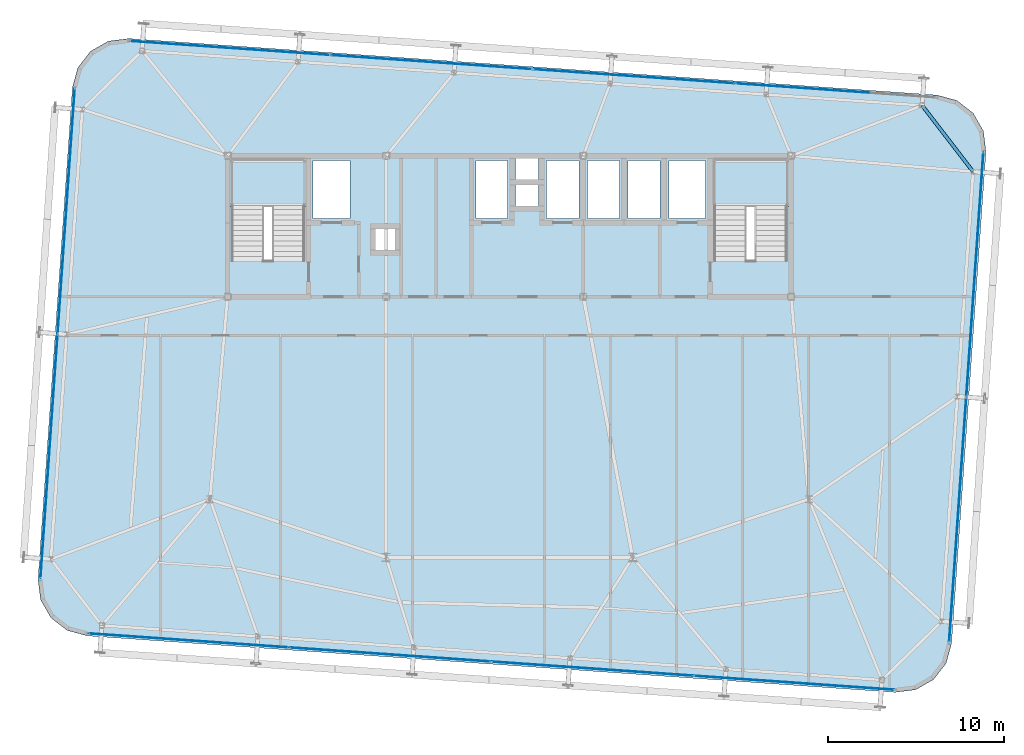
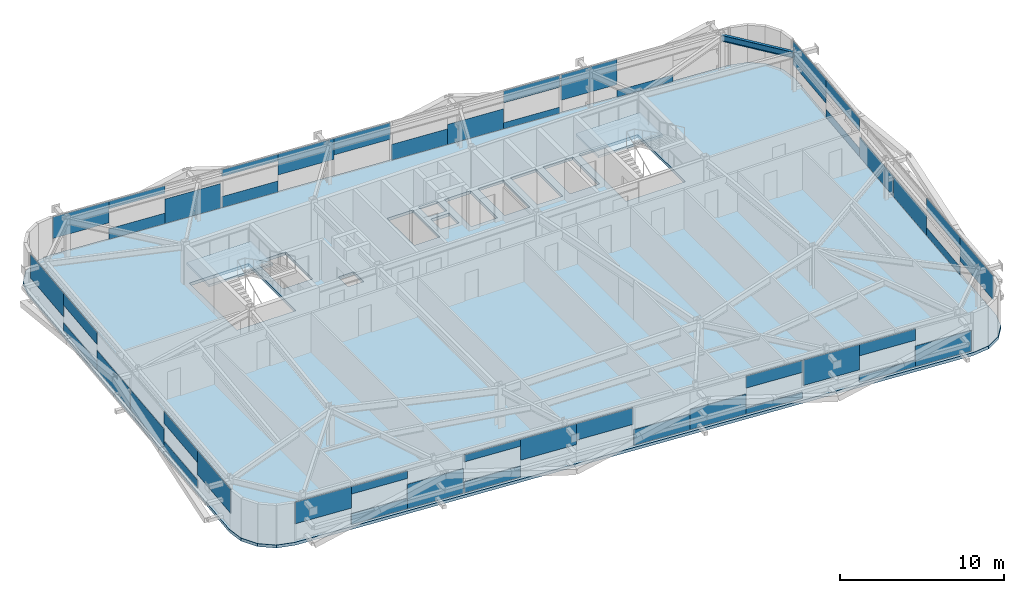
# One storey, part 25 of 39: 46 plates, 3 slabs, 1 beam, 6 elements without a shape of their own.
"""IFC4 building model written with IfcOpenShell, lengths in metres."""

from ifc_helpers import new_model, si_unit, direction, frame, origin, origin_2d, place, context, subcontext, project, spatial, polyline, rectangle, i_section, outline, extrude, source, transform, mapped, material, layer, layer_set, material_profile, profile_set, type_object, element, aggregate, save


model = new_model("IFC4")

# Units and contexts
model_context = context("Model", 3, precision=1e-05, world=origin(), true_north=direction((0.0, 1.0)))
body_context = subcontext(model_context, "Body", "Model", "MODEL_VIEW")
ifc_project = project(units=[si_unit("LENGTHUNIT", "METRE"), si_unit("AREAUNIT", "SQUARE_METRE"), si_unit("VOLUMEUNIT", "CUBIC_METRE"), si_unit("PLANEANGLEUNIT", "RADIAN"), si_unit("MASSUNIT", "GRAM", prefix="KILO")], contexts=[model_context])

# Site, building, storey
site_placement = place(None, origin())
site = spatial("IfcSite", under=ifc_project, at=site_placement, CompositionType="ELEMENT")
building_placement = place(site_placement, origin())
building = spatial("IfcBuilding", under=site, at=building_placement, Name="Taldren Reach Tower", CompositionType="ELEMENT")
storey_placement = place(building_placement, frame((0.0, 0.0, 133.0)))
storey = spatial("IfcBuildingStorey", under=building, at=storey_placement, Name="L40", CompositionType="ELEMENT", Elevation=133.0)

# Beam
ifc_material_1 = material(Name="Steel Gr 350 (350PLUS)", Category="steel")
ifc_material_profile = material_profile(ifc_material_1, i_section(OverallWidth=0.18994140625, OverallDepth=0.4541015625, WebThickness=0.008544921875, FlangeThickness=0.0126953125, at=origin_2d()), Name="460UB67.1")
ifc_profile_set = profile_set([ifc_material_profile], Name="Steel Gr 350 (350PLUS)")
beam_type = type_object("IfcBeamType", Name="SP-UB460B", PredefinedType="SPANDREL", material=ifc_profile_set)
shared_shape_1 = source(origin(), body_context, "Body", "SweptSolid", [
    extrude(i_section(OverallWidth=0.18994140625, OverallDepth=0.4541015625, WebThickness=0.008544921875, FlangeThickness=0.0126953125, at=origin_2d()), origin(), (0.0, 0.0, 1.0), 4.745849609375),
])
beam_placement = place(storey_placement, frame((61.3310546875, 31.1005859375, 2.702880859375), z_axis=(-0.609904656723, 0.792474800677, 0.0), x_axis=(-0.792474800677, -0.609904656723, 0.0)))
element("IfcBeam", 1, at=beam_placement, inside=storey, type_object=beam_type, Name="Perimeter spandrel B3 E3-N6 L40", PredefinedType="SPANDREL", context=body_context, shape_type="MappedRepresentation", body=[
    mapped(shared_shape_1, transform((0.0, 0.0, 0.0), scale=1.0)),
])

# Slab
ifc_material_2 = material(Name="Concrete N40 (40 MPa)", Category="concrete")
ifc_layer_1 = layer(ifc_material_2, 0.219970703125)
ifc_layer_set_1 = layer_set([ifc_layer_1], Name="Concrete N40 (40 MPa)")
slab_type_1 = type_object("IfcSlabType", Name="SL-FLR-220", PredefinedType="FLOOR", material=ifc_layer_set_1)
slab_1_placement = place(storey_placement, frame((0.0, 0.0, -0.219970703125)))
element("IfcSlab", 2, at=slab_1_placement, inside=storey, type_object=slab_type_1, Name="Suspended floor slab L40", PredefinedType="FLOOR", context=body_context, shape_type="SweptSolid", body=[
    extrude(outline(polyline([(56.908203125, 1.537109375), (58.0693359375, 1.684814453125), (59.08544921875, 2.265625), (59.80224609375, 3.191162109375), (60.110107421875, 4.320556640625), (62.063232421875, 32.252197265625), (61.91552734375, 33.413330078125), (61.334716796875, 34.4296875), (60.4091796875, 35.146240234375), (59.27978515625, 35.4541015625), (13.391845703125, 38.6630859375), (12.230712890625, 38.515380859375), (11.21435546875, 37.934326171875), (10.497802734375, 37.0087890625), (10.18994140625, 35.879638671875), (8.23681640625, 7.94775390625), (8.384521484375, 6.78662109375), (8.96533203125, 5.770263671875), (9.890869140625, 5.0537109375), (11.020263671875, 4.745849609375), (56.908203125, 1.537109375)]), holes=[polyline([(19.219970703125, 26.050048828125), (23.3798828125, 26.050048828125), (23.3798828125, 31.820068359375), (19.219970703125, 31.820068359375), (19.219970703125, 26.050048828125)]), polyline([(46.6201171875, 26.050048828125), (50.780029296875, 26.050048828125), (50.780029296875, 31.820068359375), (46.6201171875, 31.820068359375), (46.6201171875, 26.050048828125)]), polyline([(23.85009765625, 28.449951171875), (25.949951171875, 28.449951171875), (25.949951171875, 31.75), (23.85009765625, 31.75), (23.85009765625, 28.449951171875)]), polyline([(44.050048828125, 28.449951171875), (46.14990234375, 28.449951171875), (46.14990234375, 31.75), (44.050048828125, 31.75), (44.050048828125, 28.449951171875)]), polyline([(33.10009765625, 28.449951171875), (34.89990234375, 28.449951171875), (34.89990234375, 31.75), (33.10009765625, 31.75), (33.10009765625, 28.449951171875)]), polyline([(37.10009765625, 28.449951171875), (38.949951171875, 28.449951171875), (38.949951171875, 31.75), (37.10009765625, 31.75), (37.10009765625, 28.449951171875)]), polyline([(39.449951171875, 28.449951171875), (41.25, 28.449951171875), (41.25, 31.75), (39.449951171875, 31.75), (39.449951171875, 28.449951171875)]), polyline([(41.75, 28.449951171875), (43.550048828125, 28.449951171875), (43.550048828125, 31.75), (41.75, 31.75), (41.75, 28.449951171875)]), polyline([(35.35009765625, 30.64990234375), (36.64990234375, 30.64990234375), (36.64990234375, 31.85009765625), (35.35009765625, 31.85009765625), (35.35009765625, 30.64990234375)]), polyline([(35.35009765625, 29.14990234375), (36.64990234375, 29.14990234375), (36.64990234375, 30.35009765625), (35.35009765625, 30.35009765625), (35.35009765625, 29.14990234375)]), polyline([(27.39990234375, 26.64990234375), (28.5, 26.64990234375), (28.5, 27.85009765625), (27.39990234375, 27.85009765625), (27.39990234375, 26.64990234375)])]), origin(), (0.0, 0.0, 1.0), 0.219970703125),
])

# Stair, slab
ifc_material_3 = material(Name="Concrete S50 (50 MPa)", Category="concrete")
stair_type = type_object("IfcStairType", Name="ST-HT-315", PredefinedType="HALF_TURN_STAIR", material=ifc_material_3)
stair_1_placement = place(storey_placement, origin())
stair_1 = element("IfcStair", 3, at=stair_1_placement, inside=storey, type_object=stair_type, Name="Fire-isolated exit stair ST1 L40", PredefinedType="HALF_TURN_STAIR")
ifc_layer_2 = layer(ifc_material_3, 0.179931640625)
ifc_layer_set_2 = layer_set([ifc_layer_2], Name="Concrete S50 (50 MPa)")
slab_type_2 = type_object("IfcSlabType", Name="SL-LAND-180", PredefinedType="LANDING", material=ifc_layer_set_2)
slab_2_placement = place(storey_placement, frame((0.0, 0.0, 1.39501953125)))
slab_2 = element("IfcSlab", 4, at=slab_2_placement, type_object=slab_type_2, Name="ST1 landing 1", PredefinedType="LANDING", context=body_context, shape_type="SweptSolid", body=[
    extrude(outline(polyline([(19.0400390625, 29.135009765625), (23.56005859375, 29.135009765625), (23.56005859375, 31.8701171875), (19.0400390625, 31.8701171875), (19.0400390625, 29.135009765625)])), origin(), (0.0, 0.0, 1.0), 0.179931640625),
])
aggregate(stair_1, [slab_2])

stair_2_placement = place(storey_placement, origin())
stair_2 = element("IfcStair", 5, at=stair_2_placement, inside=storey, type_object=stair_type, Name="Fire-isolated exit stair ST2 L40", PredefinedType="HALF_TURN_STAIR")
slab_3_placement = place(storey_placement, frame((0.0, 0.0, 1.39501953125)))
slab_3 = element("IfcSlab", 6, at=slab_3_placement, type_object=slab_type_2, Name="ST2 landing 1", PredefinedType="LANDING", context=body_context, shape_type="SweptSolid", body=[
    extrude(outline(polyline([(46.43994140625, 29.135009765625), (50.9599609375, 29.135009765625), (50.9599609375, 31.8701171875), (46.43994140625, 31.8701171875), (46.43994140625, 29.135009765625)])), origin(), (0.0, 0.0, 1.0), 0.179931640625),
])
aggregate(stair_2, [slab_3])

# Curtain wall, plate
ifc_material_4 = material(Name="Aluminium and Low-E Glass Unitised System", Category="aluminium")
ifc_layer_3 = layer(ifc_material_4, 0.159912109375)
ifc_layer_set_3 = layer_set([ifc_layer_3], Name="Aluminium and Low-E Glass Unitised System")
curtain_wall_type = type_object("IfcCurtainWallType", Name="CW-SYS-4", PredefinedType="NOTDEFINED", material=ifc_layer_set_3)
curtain_wall_1_placement = place(storey_placement, origin())
curtain_wall_1 = element("IfcCurtainWall", 7, at=curtain_wall_1_placement, inside=storey, type_object=curtain_wall_type, Name="Unitised curtain wall CW-L40-S", PredefinedType="NOTDEFINED")
ifc_material_5 = material(Name="Solar-Control Double Glazed IGU", Category="glass")
ifc_layer_4 = layer(ifc_material_5, 0.031982421875)
ifc_layer_set_4 = layer_set([ifc_layer_4], Name="Solar-Control Double Glazed IGU")
plate_type = type_object("IfcPlateType", Name="CW-PNL-IGU32", PredefinedType="CURTAIN_PANEL", material=ifc_layer_set_4)
shared_shape_2 = source(origin(), body_context, "Body", "SweptSolid", [
    extrude(rectangle(XDim=3.79833984375, YDim=0.031982421875, at=origin_2d()), origin(), (0.0, 0.0, 1.0), 1.597900390625),
])
plate_1_placement = place(storey_placement, frame((12.994384765625, 4.748046875, 1.27734375), z_axis=(0.0, 0.0, 1.0), x_axis=(0.99756404731, -0.06975651593, 0.0)))
plate_1 = element("IfcPlate", 8, at=plate_1_placement, type_object=plate_type, Name="CW-4 panel 1.1 part 1", PredefinedType="CURTAIN_PANEL", context=body_context, shape_type="MappedRepresentation", body=[
    mapped(shared_shape_2, transform((0.0, 0.0, 0.0), scale=1.0)),
])

curtain_wall_2_placement = place(storey_placement, origin())
curtain_wall_2 = element("IfcCurtainWall", 9, at=curtain_wall_2_placement, inside=storey, type_object=curtain_wall_type, Name="Unitised curtain wall CW-L40-N", PredefinedType="NOTDEFINED")
plate_2_placement = place(storey_placement, frame((15.346435546875, 38.385986328125, 1.27734375), z_axis=(0.0, 0.0, 1.0), x_axis=(-0.99756404731, 0.06975651593, 0.0)))
plate_2 = element("IfcPlate", 10, at=plate_2_placement, type_object=plate_type, Name="CW-4 panel 4.1 part 4", PredefinedType="CURTAIN_PANEL", context=body_context, shape_type="MappedRepresentation", body=[
    mapped(shared_shape_2, transform((0.0, 0.0, 0.0), scale=1.0)),
])

# Plate
shared_shape_3 = source(origin(), body_context, "Body", "SweptSolid", [
    extrude(rectangle(XDim=3.79833984375, YDim=0.031982421875, at=origin_2d()), origin(), (0.0, 0.0, 1.0), 0.787109375),
])
plate_3_placement = place(storey_placement, frame((16.783447265625, 4.483154296875, 0.054931640625), z_axis=(0.0, 0.0, 1.0), x_axis=(0.99756404731, -0.06975651593, 0.0)))
plate_3 = element("IfcPlate", 11, at=plate_3_placement, type_object=plate_type, Name="CW-4 panel 1.1 part 2", PredefinedType="CURTAIN_PANEL", context=body_context, shape_type="MappedRepresentation", body=[
    mapped(shared_shape_3, transform((0.0, 0.0, 0.0), scale=1.0)),
])

plate_4_placement = place(storey_placement, frame((19.135498046875, 38.12109375, 0.054931640625), z_axis=(0.0, 0.0, 1.0), x_axis=(-0.99756404731, 0.06975651593, 0.0)))
plate_4 = element("IfcPlate", 12, at=plate_4_placement, type_object=plate_type, Name="CW-4 panel 4.1 part 2", PredefinedType="CURTAIN_PANEL", context=body_context, shape_type="MappedRepresentation", body=[
    mapped(shared_shape_3, transform((0.0, 0.0, 0.0), scale=1.0)),
])

shared_shape_4 = source(origin(), body_context, "Body", "SweptSolid", [
    extrude(rectangle(XDim=3.79833984375, YDim=0.031982421875, at=origin_2d()), origin(), (0.0, 0.0, 1.0), 0.558349609375),
])
plate_5_placement = place(storey_placement, frame((16.783447265625, 4.483154296875, 2.31640625), z_axis=(0.0, 0.0, 1.0), x_axis=(0.99756404731, -0.06975651593, 0.0)))
plate_5 = element("IfcPlate", 13, at=plate_5_placement, type_object=plate_type, Name="CW-4 panel 1.1 part 3", PredefinedType="CURTAIN_PANEL", context=body_context, shape_type="MappedRepresentation", body=[
    mapped(shared_shape_4, transform((0.0, 0.0, 0.0), scale=1.0)),
])

plate_6_placement = place(storey_placement, frame((19.135498046875, 38.12109375, 2.31640625), z_axis=(0.0, 0.0, 1.0), x_axis=(-0.99756404731, 0.06975651593, 0.0)))
plate_6 = element("IfcPlate", 14, at=plate_6_placement, type_object=plate_type, Name="CW-4 panel 4.1 part 3", PredefinedType="CURTAIN_PANEL", context=body_context, shape_type="MappedRepresentation", body=[
    mapped(shared_shape_4, transform((0.0, 0.0, 0.0), scale=1.0)),
])

shared_shape_5 = source(origin(), body_context, "Body", "SweptSolid", [
    extrude(rectangle(XDim=3.79833984375, YDim=0.031982421875, at=origin_2d()), origin(), (0.0, 0.0, 1.0), 1.826416015625),
])
plate_7_placement = place(storey_placement, frame((20.572509765625, 4.21826171875, 0.05517578125), z_axis=(0.0, 0.0, 1.0), x_axis=(0.99756404731, -0.06975651593, 0.0)))
plate_7 = element("IfcPlate", 15, at=plate_7_placement, type_object=plate_type, Name="CW-4 panel 1.1 part 4", PredefinedType="CURTAIN_PANEL", context=body_context, shape_type="MappedRepresentation", body=[
    mapped(shared_shape_5, transform((0.0, 0.0, 0.0), scale=1.0)),
])

plate_8_placement = place(storey_placement, frame((22.924560546875, 37.85595703125, 0.05517578125), z_axis=(0.0, 0.0, 1.0), x_axis=(-0.99756404731, 0.06975651593, 0.0)))
plate_8 = element("IfcPlate", 16, at=plate_8_placement, type_object=plate_type, Name="CW-4 panel 4.1 part 1", PredefinedType="CURTAIN_PANEL", context=body_context, shape_type="MappedRepresentation", body=[
    mapped(shared_shape_5, transform((0.0, 0.0, 0.0), scale=1.0)),
])

shared_shape_6 = source(origin(), body_context, "Body", "SweptSolid", [
    extrude(rectangle(XDim=3.81005859375, YDim=0.031982421875, at=origin_2d()), origin(), (0.0, 0.0, 1.0), 0.8271484375),
])
plate_9_placement = place(storey_placement, frame((24.437255859375, 3.947998046875, 0.054931640625), z_axis=(0.0, 0.0, 1.0), x_axis=(0.99756404731, -0.06975651593, 0.0)))
plate_9 = element("IfcPlate", 17, at=plate_9_placement, type_object=plate_type, Name="CW-4 panel 2.1 part 1", PredefinedType="CURTAIN_PANEL", context=body_context, shape_type="MappedRepresentation", body=[
    mapped(shared_shape_6, transform((0.0, 0.0, 0.0), scale=1.0)),
])

plate_10_placement = place(storey_placement, frame((26.789306640625, 37.585693359375, 0.054931640625), z_axis=(0.0, 0.0, 1.0), x_axis=(-0.99756404731, 0.06975651593, 0.0)))
plate_10 = element("IfcPlate", 18, at=plate_10_placement, type_object=plate_type, Name="CW-4 panel 3.1 part 3", PredefinedType="CURTAIN_PANEL", context=body_context, shape_type="MappedRepresentation", body=[
    mapped(shared_shape_6, transform((0.0, 0.0, 0.0), scale=1.0)),
])

shared_shape_7 = source(origin(), body_context, "Body", "SweptSolid", [
    extrude(rectangle(XDim=3.81005859375, YDim=0.031982421875, at=origin_2d()), origin(), (0.0, 0.0, 1.0), 0.51513671875),
])
plate_11_placement = place(storey_placement, frame((24.437255859375, 3.947998046875, 2.35986328125), z_axis=(0.0, 0.0, 1.0), x_axis=(0.99756404731, -0.06975651593, 0.0)))
plate_11 = element("IfcPlate", 19, at=plate_11_placement, type_object=plate_type, Name="CW-4 panel 2.1 part 2", PredefinedType="CURTAIN_PANEL", context=body_context, shape_type="MappedRepresentation", body=[
    mapped(shared_shape_7, transform((0.0, 0.0, 0.0), scale=1.0)),
])

plate_12_placement = place(storey_placement, frame((26.789306640625, 37.585693359375, 2.35986328125), z_axis=(0.0, 0.0, 1.0), x_axis=(-0.99756404731, 0.06975651593, 0.0)))
plate_12 = element("IfcPlate", 20, at=plate_12_placement, type_object=plate_type, Name="CW-4 panel 3.1 part 4", PredefinedType="CURTAIN_PANEL", context=body_context, shape_type="MappedRepresentation", body=[
    mapped(shared_shape_7, transform((0.0, 0.0, 0.0), scale=1.0)),
])

shared_shape_8 = source(origin(), body_context, "Body", "SweptSolid", [
    extrude(rectangle(XDim=3.81005859375, YDim=0.031982421875, at=origin_2d()), origin(), (0.0, 0.0, 1.0), 1.5576171875),
])
plate_13_placement = place(storey_placement, frame((28.23779296875, 3.68212890625, 1.3173828125), z_axis=(0.0, 0.0, 1.0), x_axis=(0.99756404731, -0.06975651593, 0.0)))
plate_13 = element("IfcPlate", 21, at=plate_13_placement, type_object=plate_type, Name="CW-4 panel 2.1 part 3", PredefinedType="CURTAIN_PANEL", context=body_context, shape_type="MappedRepresentation", body=[
    mapped(shared_shape_8, transform((0.0, 0.0, 0.0), scale=1.0)),
])

plate_14_placement = place(storey_placement, frame((30.590087890625, 37.320068359375, 1.3173828125), z_axis=(0.0, 0.0, 1.0), x_axis=(-0.99756404731, 0.06975651593, 0.0)))
plate_14 = element("IfcPlate", 22, at=plate_14_placement, type_object=plate_type, Name="CW-4 panel 3.1 part 2", PredefinedType="CURTAIN_PANEL", context=body_context, shape_type="MappedRepresentation", body=[
    mapped(shared_shape_8, transform((0.0, 0.0, 0.0), scale=1.0)),
])

shared_shape_9 = source(origin(), body_context, "Body", "SweptSolid", [
    extrude(rectangle(XDim=3.81005859375, YDim=0.031982421875, at=origin_2d()), origin(), (0.0, 0.0, 1.0), 1.23193359375),
])
plate_15_placement = place(storey_placement, frame((32.03857421875, 3.41650390625, 1.64306640625), z_axis=(0.0, 0.0, 1.0), x_axis=(0.99756404731, -0.06975651593, 0.0)))
plate_15 = element("IfcPlate", 23, at=plate_15_placement, type_object=plate_type, Name="CW-4 panel 2.1 part 4", PredefinedType="CURTAIN_PANEL", context=body_context, shape_type="MappedRepresentation", body=[
    mapped(shared_shape_9, transform((0.0, 0.0, 0.0), scale=1.0)),
])

plate_16_placement = place(storey_placement, frame((34.390869140625, 37.05419921875, 1.64306640625), z_axis=(0.0, 0.0, 1.0), x_axis=(-0.99756404731, 0.06975651593, 0.0)))
plate_16 = element("IfcPlate", 24, at=plate_16_placement, type_object=plate_type, Name="CW-4 panel 3.1 part 1", PredefinedType="CURTAIN_PANEL", context=body_context, shape_type="MappedRepresentation", body=[
    mapped(shared_shape_9, transform((0.0, 0.0, 0.0), scale=1.0)),
])

shared_shape_10 = source(origin(), body_context, "Body", "SweptSolid", [
    extrude(rectangle(XDim=3.81005859375, YDim=0.031982421875, at=origin_2d()), origin(), (0.0, 0.0, 1.0), 1.172119140625),
])
plate_17_placement = place(storey_placement, frame((35.9091796875, 3.145751953125, 0.05517578125), z_axis=(0.0, 0.0, 1.0), x_axis=(0.99756404731, -0.06975651593, 0.0)))
plate_17 = element("IfcPlate", 25, at=plate_17_placement, type_object=plate_type, Name="CW-4 panel 3.1 part 1", PredefinedType="CURTAIN_PANEL", context=body_context, shape_type="MappedRepresentation", body=[
    mapped(shared_shape_10, transform((0.0, 0.0, 0.0), scale=1.0)),
])

plate_18_placement = place(storey_placement, frame((38.261474609375, 36.78369140625, 0.05517578125), z_axis=(0.0, 0.0, 1.0), x_axis=(-0.99756404731, 0.06975651593, 0.0)))
plate_18 = element("IfcPlate", 26, at=plate_18_placement, type_object=plate_type, Name="CW-4 panel 2.1 part 4", PredefinedType="CURTAIN_PANEL", context=body_context, shape_type="MappedRepresentation", body=[
    mapped(shared_shape_10, transform((0.0, 0.0, 0.0), scale=1.0)),
])

shared_shape_11 = source(origin(), body_context, "Body", "SweptSolid", [
    extrude(rectangle(XDim=3.81005859375, YDim=0.031982421875, at=origin_2d()), origin(), (0.0, 0.0, 1.0), 1.497802734375),
])
plate_19_placement = place(storey_placement, frame((39.7099609375, 2.8798828125, 0.05517578125), z_axis=(0.0, 0.0, 1.0), x_axis=(0.99756404731, -0.06975651593, 0.0)))
plate_19 = element("IfcPlate", 27, at=plate_19_placement, type_object=plate_type, Name="CW-4 panel 3.1 part 2", PredefinedType="CURTAIN_PANEL", context=body_context, shape_type="MappedRepresentation", body=[
    mapped(shared_shape_11, transform((0.0, 0.0, 0.0), scale=1.0)),
])

plate_20_placement = place(storey_placement, frame((42.06201171875, 36.517822265625, 0.05517578125), z_axis=(0.0, 0.0, 1.0), x_axis=(-0.99756404731, 0.06975651593, 0.0)))
plate_20 = element("IfcPlate", 28, at=plate_20_placement, type_object=plate_type, Name="CW-4 panel 2.1 part 3", PredefinedType="CURTAIN_PANEL", context=body_context, shape_type="MappedRepresentation", body=[
    mapped(shared_shape_11, transform((0.0, 0.0, 0.0), scale=1.0)),
])

shared_shape_12 = source(origin(), body_context, "Body", "SweptSolid", [
    extrude(rectangle(XDim=3.81005859375, YDim=0.031982421875, at=origin_2d()), origin(), (0.0, 0.0, 1.0), 0.455078125),
])
plate_21_placement = place(storey_placement, frame((43.510498046875, 2.6142578125, 0.054931640625), z_axis=(0.0, 0.0, 1.0), x_axis=(0.99756404731, -0.06975651593, 0.0)))
plate_21 = element("IfcPlate", 29, at=plate_21_placement, type_object=plate_type, Name="CW-4 panel 3.1 part 3", PredefinedType="CURTAIN_PANEL", context=body_context, shape_type="MappedRepresentation", body=[
    mapped(shared_shape_12, transform((0.0, 0.0, 0.0), scale=1.0)),
])

plate_22_placement = place(storey_placement, frame((45.86279296875, 36.251953125, 0.054931640625), z_axis=(0.0, 0.0, 1.0), x_axis=(-0.99756404731, 0.06975651593, 0.0)))
plate_22 = element("IfcPlate", 30, at=plate_22_placement, type_object=plate_type, Name="CW-4 panel 2.1 part 1", PredefinedType="CURTAIN_PANEL", context=body_context, shape_type="MappedRepresentation", body=[
    mapped(shared_shape_12, transform((0.0, 0.0, 0.0), scale=1.0)),
])

shared_shape_13 = source(origin(), body_context, "Body", "SweptSolid", [
    extrude(rectangle(XDim=3.81005859375, YDim=0.031982421875, at=origin_2d()), origin(), (0.0, 0.0, 1.0), 0.88720703125),
])
plate_23_placement = place(storey_placement, frame((43.510498046875, 2.6142578125, 1.98779296875), z_axis=(0.0, 0.0, 1.0), x_axis=(0.99756404731, -0.06975651593, 0.0)))
plate_23 = element("IfcPlate", 31, at=plate_23_placement, type_object=plate_type, Name="CW-4 panel 3.1 part 4", PredefinedType="CURTAIN_PANEL", context=body_context, shape_type="MappedRepresentation", body=[
    mapped(shared_shape_13, transform((0.0, 0.0, 0.0), scale=1.0)),
])

plate_24_placement = place(storey_placement, frame((45.86279296875, 36.251953125, 1.98779296875), z_axis=(0.0, 0.0, 1.0), x_axis=(-0.99756404731, 0.06975651593, 0.0)))
plate_24 = element("IfcPlate", 32, at=plate_24_placement, type_object=plate_type, Name="CW-4 panel 2.1 part 2", PredefinedType="CURTAIN_PANEL", context=body_context, shape_type="MappedRepresentation", body=[
    mapped(shared_shape_13, transform((0.0, 0.0, 0.0), scale=1.0)),
])

shared_shape_14 = source(origin(), body_context, "Body", "SweptSolid", [
    extrude(rectangle(XDim=3.79833984375, YDim=0.031982421875, at=origin_2d()), origin(), (0.0, 0.0, 1.0), 1.886474609375),
])
plate_25_placement = place(storey_placement, frame((47.375244140625, 2.343994140625, 0.98828125), z_axis=(0.0, 0.0, 1.0), x_axis=(0.99756404731, -0.06975651593, 0.0)))
plate_25 = element("IfcPlate", 33, at=plate_25_placement, type_object=plate_type, Name="CW-4 panel 4.1 part 1", PredefinedType="CURTAIN_PANEL", context=body_context, shape_type="MappedRepresentation", body=[
    mapped(shared_shape_14, transform((0.0, 0.0, 0.0), scale=1.0)),
])

plate_26_placement = place(storey_placement, frame((49.7275390625, 35.981689453125, 0.98828125), z_axis=(0.0, 0.0, 1.0), x_axis=(-0.99756404731, 0.06975651593, 0.0)))
plate_26 = element("IfcPlate", 34, at=plate_26_placement, type_object=plate_type, Name="CW-4 panel 1.1 part 4", PredefinedType="CURTAIN_PANEL", context=body_context, shape_type="MappedRepresentation", body=[
    mapped(shared_shape_14, transform((0.0, 0.0, 0.0), scale=1.0)),
])

shared_shape_15 = source(origin(), body_context, "Body", "SweptSolid", [
    extrude(rectangle(XDim=3.79833984375, YDim=0.031982421875, at=origin_2d()), origin(), (0.0, 0.0, 1.0), 0.498291015625),
])
plate_27_placement = place(storey_placement, frame((51.16455078125, 2.0791015625, 0.05517578125), z_axis=(0.0, 0.0, 1.0), x_axis=(0.99756404731, -0.06975651593, 0.0)))
plate_27 = element("IfcPlate", 35, at=plate_27_placement, type_object=plate_type, Name="CW-4 panel 4.1 part 2", PredefinedType="CURTAIN_PANEL", context=body_context, shape_type="MappedRepresentation", body=[
    mapped(shared_shape_15, transform((0.0, 0.0, 0.0), scale=1.0)),
])

plate_28_placement = place(storey_placement, frame((53.5166015625, 35.716796875, 0.05517578125), z_axis=(0.0, 0.0, 1.0), x_axis=(-0.99756404731, 0.06975651593, 0.0)))
plate_28 = element("IfcPlate", 36, at=plate_28_placement, type_object=plate_type, Name="CW-4 panel 1.1 part 2", PredefinedType="CURTAIN_PANEL", context=body_context, shape_type="MappedRepresentation", body=[
    mapped(shared_shape_15, transform((0.0, 0.0, 0.0), scale=1.0)),
])

aggregate(curtain_wall_2, [plate_28, plate_26, plate_22, plate_24, plate_20, plate_18, plate_16, plate_14, plate_10, plate_12, plate_8, plate_4, plate_6, plate_2])

shared_shape_16 = source(origin(), body_context, "Body", "SweptSolid", [
    extrude(rectangle(XDim=3.79833984375, YDim=0.031982421875, at=origin_2d()), origin(), (0.0, 0.0, 1.0), 0.84716796875),
])
plate_29_placement = place(storey_placement, frame((51.16455078125, 2.0791015625, 2.02783203125), z_axis=(0.0, 0.0, 1.0), x_axis=(0.99756404731, -0.06975651593, 0.0)))
plate_29 = element("IfcPlate", 37, at=plate_29_placement, type_object=plate_type, Name="CW-4 panel 4.1 part 3", PredefinedType="CURTAIN_PANEL", context=body_context, shape_type="MappedRepresentation", body=[
    mapped(shared_shape_16, transform((0.0, 0.0, 0.0), scale=1.0)),
])

shared_shape_17 = source(origin(), body_context, "Body", "SweptSolid", [
    extrude(rectangle(XDim=3.79833984375, YDim=0.031982421875, at=origin_2d()), origin(), (0.0, 0.0, 1.0), 1.537841796875),
])
plate_30_placement = place(storey_placement, frame((54.95361328125, 1.81396484375, 0.05517578125), z_axis=(0.0, 0.0, 1.0), x_axis=(0.99756404731, -0.06975651593, 0.0)))
plate_30 = element("IfcPlate", 38, at=plate_30_placement, type_object=plate_type, Name="CW-4 panel 4.1 part 4", PredefinedType="CURTAIN_PANEL", context=body_context, shape_type="MappedRepresentation", body=[
    mapped(shared_shape_17, transform((0.0, 0.0, 0.0), scale=1.0)),
])

aggregate(curtain_wall_1, [plate_1, plate_3, plate_5, plate_7, plate_9, plate_11, plate_13, plate_15, plate_17, plate_19, plate_21, plate_23, plate_25, plate_27, plate_29, plate_30])

# Curtain wall, plates
curtain_wall_3_placement = place(storey_placement, origin())
curtain_wall_3 = element("IfcCurtainWall", 39, at=curtain_wall_3_placement, inside=storey, type_object=curtain_wall_type, Name="Unitised curtain wall CW-L40-W", PredefinedType="NOTDEFINED")
shared_shape_18 = source(origin(), body_context, "Body", "SweptSolid", [
    extrude(rectangle(XDim=4.631591796875, YDim=0.031982421875, at=origin_2d()), origin(), (0.0, 0.0, 1.0), 1.776611328125),
])
plate_31_placement = place(storey_placement, frame((10.1630859375, 33.48974609375, 1.0986328125), z_axis=(0.0, 0.0, 1.0), x_axis=(-0.069756437251, -0.997564052812, 0.0)))
plate_31 = element("IfcPlate", 40, at=plate_31_placement, type_object=plate_type, Name="CW-4 panel 1.1 part 1", PredefinedType="CURTAIN_PANEL", context=body_context, shape_type="MappedRepresentation", body=[
    mapped(shared_shape_18, transform((0.0, 0.0, 0.0), scale=1.0)),
])
plate_32_placement = place(storey_placement, frame((8.542724609375, 10.318115234375, 1.0986328125), z_axis=(0.0, 0.0, 1.0), x_axis=(-0.069756437251, -0.997564052812, 0.0)))
plate_32 = element("IfcPlate", 41, at=plate_32_placement, type_object=plate_type, Name="CW-4 panel 2.1 part 4", PredefinedType="CURTAIN_PANEL", context=body_context, shape_type="MappedRepresentation", body=[
    mapped(shared_shape_18, transform((0.0, 0.0, 0.0), scale=1.0)),
])

curtain_wall_4_placement = place(storey_placement, origin())
curtain_wall_4 = element("IfcCurtainWall", 42, at=curtain_wall_4_placement, inside=storey, type_object=curtain_wall_type, Name="Unitised curtain wall CW-L40-E", PredefinedType="NOTDEFINED")
plate_33_placement = place(storey_placement, frame((60.136962890625, 6.710205078125, 1.0986328125), z_axis=(0.0, 0.0, 1.0), x_axis=(0.069756437251, 0.997564052812, 0.0)))
plate_33 = element("IfcPlate", 43, at=plate_33_placement, type_object=plate_type, Name="CW-4 panel 1.1 part 1", PredefinedType="CURTAIN_PANEL", context=body_context, shape_type="MappedRepresentation", body=[
    mapped(shared_shape_18, transform((0.0, 0.0, 0.0), scale=1.0)),
])
plate_34_placement = place(storey_placement, frame((61.757080078125, 29.882080078125, 1.0986328125), z_axis=(0.0, 0.0, 1.0), x_axis=(0.069756437251, 0.997564052812, 0.0)))
plate_34 = element("IfcPlate", 44, at=plate_34_placement, type_object=plate_type, Name="CW-4 panel 2.1 part 4", PredefinedType="CURTAIN_PANEL", context=body_context, shape_type="MappedRepresentation", body=[
    mapped(shared_shape_18, transform((0.0, 0.0, 0.0), scale=1.0)),
])

# Plate
shared_shape_19 = source(origin(), body_context, "Body", "SweptSolid", [
    extrude(rectangle(XDim=4.631591796875, YDim=0.031982421875, at=origin_2d()), origin(), (0.0, 0.0, 1.0), 0.6162109375),
])
plate_35_placement = place(storey_placement, frame((9.840087890625, 28.869384765625, 0.054931640625), z_axis=(0.0, 0.0, 1.0), x_axis=(-0.069756437251, -0.997564052812, 0.0)))
plate_35 = element("IfcPlate", 45, at=plate_35_placement, type_object=plate_type, Name="CW-4 panel 1.1 part 2", PredefinedType="CURTAIN_PANEL", context=body_context, shape_type="MappedRepresentation", body=[
    mapped(shared_shape_19, transform((0.0, 0.0, 0.0), scale=1.0)),
])

plate_36_placement = place(storey_placement, frame((8.865966796875, 14.9384765625, 0.054931640625), z_axis=(0.0, 0.0, 1.0), x_axis=(-0.069756437251, -0.997564052812, 0.0)))
plate_36 = element("IfcPlate", 46, at=plate_36_placement, type_object=plate_type, Name="CW-4 panel 2.1 part 2", PredefinedType="CURTAIN_PANEL", context=body_context, shape_type="MappedRepresentation", body=[
    mapped(shared_shape_19, transform((0.0, 0.0, 0.0), scale=1.0)),
])

plate_37_placement = place(storey_placement, frame((60.4599609375, 11.33056640625, 0.054931640625), z_axis=(0.0, 0.0, 1.0), x_axis=(0.069756437251, 0.997564052812, 0.0)))
plate_37 = element("IfcPlate", 47, at=plate_37_placement, type_object=plate_type, Name="CW-4 panel 1.1 part 2", PredefinedType="CURTAIN_PANEL", context=body_context, shape_type="MappedRepresentation", body=[
    mapped(shared_shape_19, transform((0.0, 0.0, 0.0), scale=1.0)),
])

plate_38_placement = place(storey_placement, frame((61.43408203125, 25.261474609375, 0.054931640625), z_axis=(0.0, 0.0, 1.0), x_axis=(0.069756437251, 0.997564052812, 0.0)))
plate_38 = element("IfcPlate", 48, at=plate_38_placement, type_object=plate_type, Name="CW-4 panel 2.1 part 2", PredefinedType="CURTAIN_PANEL", context=body_context, shape_type="MappedRepresentation", body=[
    mapped(shared_shape_19, transform((0.0, 0.0, 0.0), scale=1.0)),
])

shared_shape_20 = source(origin(), body_context, "Body", "SweptSolid", [
    extrude(rectangle(XDim=4.631591796875, YDim=0.031982421875, at=origin_2d()), origin(), (0.0, 0.0, 1.0), 0.897216796875),
])
plate_39_placement = place(storey_placement, frame((9.840087890625, 28.869384765625, 1.9775390625), z_axis=(0.0, 0.0, 1.0), x_axis=(-0.069756437251, -0.997564052812, 0.0)))
plate_39 = element("IfcPlate", 49, at=plate_39_placement, type_object=plate_type, Name="CW-4 panel 1.1 part 3", PredefinedType="CURTAIN_PANEL", context=body_context, shape_type="MappedRepresentation", body=[
    mapped(shared_shape_20, transform((0.0, 0.0, 0.0), scale=1.0)),
])

plate_40_placement = place(storey_placement, frame((8.865966796875, 14.9384765625, 1.9775390625), z_axis=(0.0, 0.0, 1.0), x_axis=(-0.069756437251, -0.997564052812, 0.0)))
plate_40 = element("IfcPlate", 50, at=plate_40_placement, type_object=plate_type, Name="CW-4 panel 2.1 part 3", PredefinedType="CURTAIN_PANEL", context=body_context, shape_type="MappedRepresentation", body=[
    mapped(shared_shape_20, transform((0.0, 0.0, 0.0), scale=1.0)),
])

plate_41_placement = place(storey_placement, frame((60.4599609375, 11.33056640625, 1.9775390625), z_axis=(0.0, 0.0, 1.0), x_axis=(0.069756437251, 0.997564052812, 0.0)))
plate_41 = element("IfcPlate", 51, at=plate_41_placement, type_object=plate_type, Name="CW-4 panel 1.1 part 3", PredefinedType="CURTAIN_PANEL", context=body_context, shape_type="MappedRepresentation", body=[
    mapped(shared_shape_20, transform((0.0, 0.0, 0.0), scale=1.0)),
])

plate_42_placement = place(storey_placement, frame((61.43408203125, 25.261474609375, 1.9775390625), z_axis=(0.0, 0.0, 1.0), x_axis=(0.069756437251, 0.997564052812, 0.0)))
plate_42 = element("IfcPlate", 52, at=plate_42_placement, type_object=plate_type, Name="CW-4 panel 2.1 part 3", PredefinedType="CURTAIN_PANEL", context=body_context, shape_type="MappedRepresentation", body=[
    mapped(shared_shape_20, transform((0.0, 0.0, 0.0), scale=1.0)),
])

shared_shape_21 = source(origin(), body_context, "Body", "SweptSolid", [
    extrude(rectangle(XDim=4.631591796875, YDim=0.031982421875, at=origin_2d()), origin(), (0.0, 0.0, 1.0), 1.495361328125),
])
plate_43_placement = place(storey_placement, frame((9.51708984375, 24.2490234375, 0.05517578125), z_axis=(0.0, 0.0, 1.0), x_axis=(-0.069756437251, -0.997564052812, 0.0)))
plate_43 = element("IfcPlate", 53, at=plate_43_placement, type_object=plate_type, Name="CW-4 panel 1.1 part 4", PredefinedType="CURTAIN_PANEL", context=body_context, shape_type="MappedRepresentation", body=[
    mapped(shared_shape_21, transform((0.0, 0.0, 0.0), scale=1.0)),
])

plate_44_placement = place(storey_placement, frame((9.18896484375, 19.558837890625, 0.05517578125), z_axis=(0.0, 0.0, 1.0), x_axis=(-0.069756437251, -0.997564052812, 0.0)))
plate_44 = element("IfcPlate", 54, at=plate_44_placement, type_object=plate_type, Name="CW-4 panel 2.1 part 1", PredefinedType="CURTAIN_PANEL", context=body_context, shape_type="MappedRepresentation", body=[
    mapped(shared_shape_21, transform((0.0, 0.0, 0.0), scale=1.0)),
])

aggregate(curtain_wall_3, [plate_31, plate_35, plate_39, plate_43, plate_44, plate_36, plate_40, plate_32])

plate_45_placement = place(storey_placement, frame((60.782958984375, 15.950927734375, 0.05517578125), z_axis=(0.0, 0.0, 1.0), x_axis=(0.069756437251, 0.997564052812, 0.0)))
plate_45 = element("IfcPlate", 55, at=plate_45_placement, type_object=plate_type, Name="CW-4 panel 1.1 part 4", PredefinedType="CURTAIN_PANEL", context=body_context, shape_type="MappedRepresentation", body=[
    mapped(shared_shape_21, transform((0.0, 0.0, 0.0), scale=1.0)),
])

plate_46_placement = place(storey_placement, frame((61.111083984375, 20.64111328125, 0.05517578125), z_axis=(0.0, 0.0, 1.0), x_axis=(0.069756437251, 0.997564052812, 0.0)))
plate_46 = element("IfcPlate", 56, at=plate_46_placement, type_object=plate_type, Name="CW-4 panel 2.1 part 1", PredefinedType="CURTAIN_PANEL", context=body_context, shape_type="MappedRepresentation", body=[
    mapped(shared_shape_21, transform((0.0, 0.0, 0.0), scale=1.0)),
])

aggregate(curtain_wall_4, [plate_33, plate_37, plate_41, plate_45, plate_46, plate_38, plate_42, plate_34])

save(model, "model.ifc")
